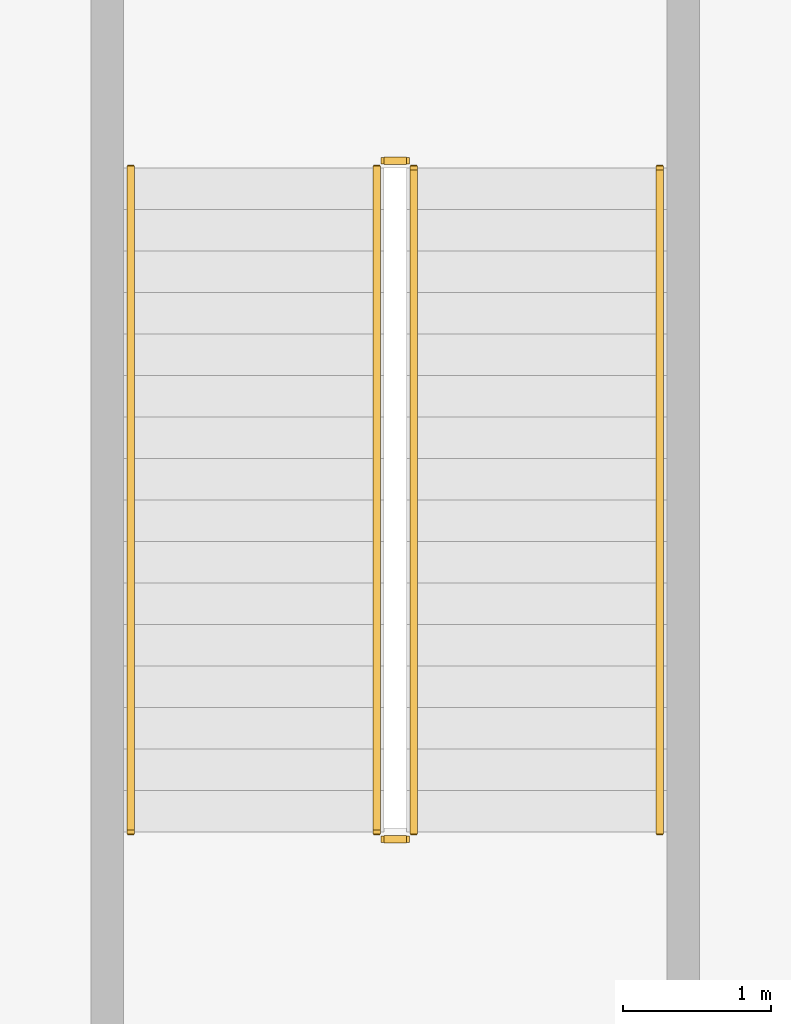
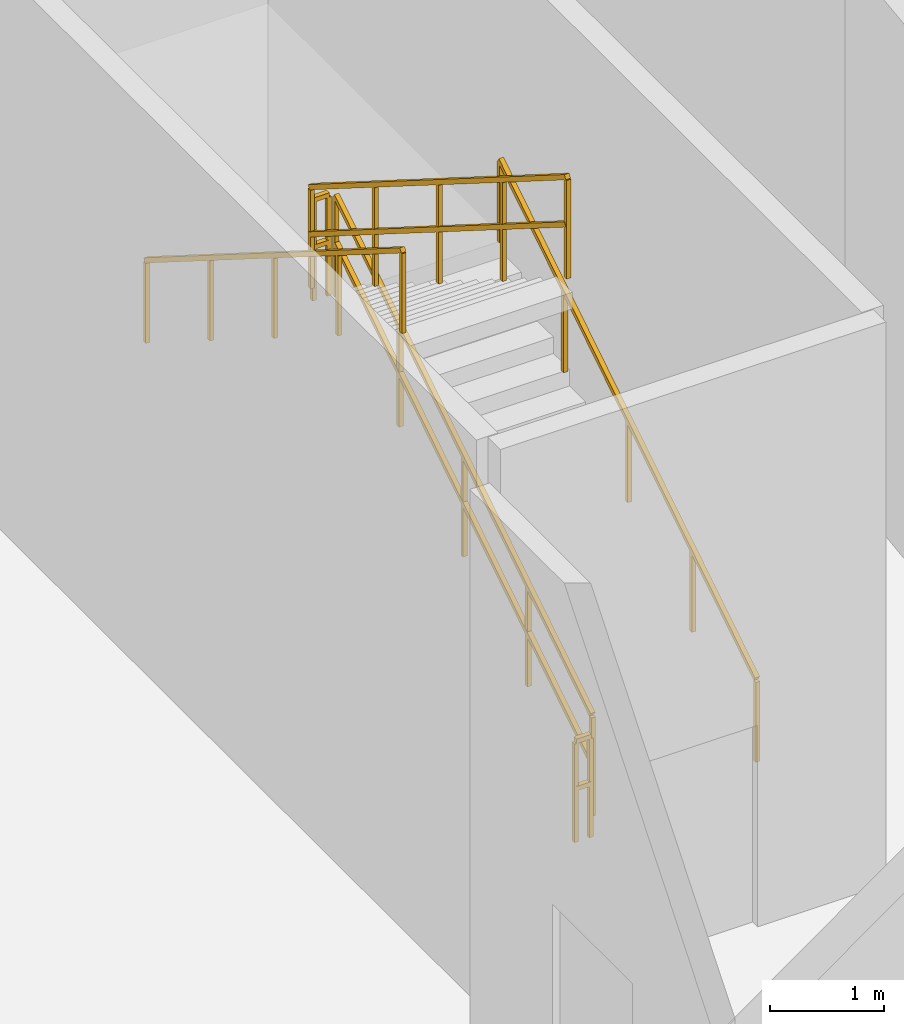
# One storey, part 11 of 14: 6 railings.
"""IFC4 building model written with IfcOpenShell, lengths in metres."""

import ifcopenshell
import ifcopenshell.guid

model = None  # the IFC model being written
_history = None  # IfcOwnerHistory: only IFC2X3 demands one
_inside = {}  # id of a spatial element -> (the spatial element, [elements in it])
_under = {}  # id of a project, library or spatial element -> (it, [spatial elements below it])
_declared = {}  # id of a project -> (the project, [libraries it declares])
_typed = {}  # id of a type object -> (the type object, [elements of that type])
_made_of = {}  # id of a material, layer set ... -> (it, [elements and type objects made of it])


def new_model(schema):
    """Start an empty IFC model of exactly this schema.

    Asked for "IFC4X3", IfcOpenShell would pick the latest addendum, in which some entities
    have other attributes; the version numbers below select the first issue.
    IFC2X3 requires an IfcOwnerHistory on every rooted entity: one is made here for all.
    """
    global model, _history
    if schema == "IFC4X3":
        model = ifcopenshell.file(schema_version=(4, 3, 0, 0))
    else:
        model = ifcopenshell.file(schema=schema)
    _inside.clear()
    _under.clear()
    _declared.clear()
    _typed.clear()
    _made_of.clear()
    _history = None
    if model.schema == "IFC2X3":
        org = make("IfcOrganization", Name="unknown")
        user = make(
            "IfcPersonAndOrganization",
            ThePerson=make("IfcPerson", FamilyName="unknown"),
            TheOrganization=org,
        )
        app = make(
            "IfcApplication",
            ApplicationDeveloper=org,
            Version="unknown",
            ApplicationFullName="unknown",
            ApplicationIdentifier="unknown",
        )
        _history = make(
            "IfcOwnerHistory",
            OwningUser=user,
            OwningApplication=app,
            ChangeAction="ADDED",
            CreationDate=0,
        )
    return model


def make(cls, **values):
    """One entity of the class cls with the attributes given. An attribute that is None is left unset."""
    return model.create_entity(
        cls, **{name: value for name, value in values.items() if value is not None}
    )


def rooted(cls, **values):
    """An entity with a GlobalId (a new one), such as an element, a storey or a relation."""
    return make(cls, GlobalId=ifcopenshell.guid.new(), OwnerHistory=_history, **values)


def si_unit(unit_type, name, prefix=None):
    """IfcSIUnit, for example si_unit("LENGTHUNIT", "METRE", prefix="MILLI")."""
    return make("IfcSIUnit", UnitType=unit_type, Prefix=prefix, Name=name)


def assignment(units):
    """IfcUnitAssignment: the units of a project."""
    return None if units is None else make("IfcUnitAssignment", Units=units)


def point(xyz):
    """IfcCartesianPoint."""
    return None if xyz is None else make("IfcCartesianPoint", Coordinates=xyz)


def direction(xyz):
    """IfcDirection."""
    return None if xyz is None else make("IfcDirection", DirectionRatios=xyz)


def frame(location, z_axis=None, x_axis=None):
    """IfcAxis2Placement3D, a coordinate frame: its origin and axes. An axis left out is left unset."""
    return make(
        "IfcAxis2Placement3D",
        Location=point(location),
        Axis=direction(z_axis),
        RefDirection=direction(x_axis),
    )


def frame_2d(location, x_axis=None):
    """IfcAxis2Placement2D, a coordinate frame in the plane: its origin and x axis."""
    return make(
        "IfcAxis2Placement2D", Location=point(location), RefDirection=direction(x_axis)
    )


def origin():
    """The frame at (0, 0, 0) with its axes left unset."""
    return frame((0.0, 0.0, 0.0))


def origin_2d():
    """The frame at (0, 0) in the plane with its x axis left unset."""
    return frame_2d((0.0, 0.0))


def place(relative_to, where):
    """IfcLocalPlacement: puts the frame where relative to a parent placement (None: the world)."""
    return make(
        "IfcLocalPlacement", PlacementRelTo=relative_to, RelativePlacement=where
    )


def context(
    kind, dimensions, precision=None, world=None, true_north=None, identifier=None
):
    """IfcGeometricRepresentationContext, for example the 3D "Model" context."""
    return make(
        "IfcGeometricRepresentationContext",
        ContextIdentifier=identifier,
        ContextType=kind,
        CoordinateSpaceDimension=dimensions,
        Precision=precision,
        WorldCoordinateSystem=world,
        TrueNorth=true_north,
    )


def subcontext(parent, identifier, kind, view, scale=None):
    """IfcGeometricRepresentationSubContext, for example "Body" below "Model"."""
    return make(
        "IfcGeometricRepresentationSubContext",
        ContextIdentifier=identifier,
        ContextType=kind,
        ParentContext=parent,
        TargetScale=scale,
        TargetView=view,
    )


def project(units=None, contexts=None):
    """IfcProject with its units and contexts."""
    return rooted(
        "IfcProject",
        Name="project",
        RepresentationContexts=contexts,
        UnitsInContext=assignment(units),
    )


def spatial(cls, under=None, at=None, **own):
    """A site, building, storey or space (cls), placed at a placement, below another one or the project."""
    s = rooted(cls, ObjectPlacement=at, **own)
    if under is not None:
        _under.setdefault(under.id(), (under, []))[1].append(s)
    return s


def profile(cls, at=None, kind="AREA", **sizes):
    """A parametric profile (cls). Its sizes go by their IFC names, for example OverallWidth=200.0."""
    return make(cls, ProfileType=kind, Position=at, **sizes)


def rectangle(**sizes):
    """IfcRectangleProfileDef."""
    return profile("IfcRectangleProfileDef", **sizes)


def extrude(swept, where, along, depth):
    """IfcExtrudedAreaSolid: the profile swept, set in the frame where, extruded along a direction by depth."""
    return make(
        "IfcExtrudedAreaSolid",
        SweptArea=swept,
        Position=where,
        ExtrudedDirection=direction(along),
        Depth=depth,
    )


def shape(context_of_items, identifier, shape_type, items):
    """IfcShapeRepresentation: the items that make up one representation, for example the "Body"."""
    return make(
        "IfcShapeRepresentation",
        ContextOfItems=context_of_items,
        RepresentationIdentifier=identifier,
        RepresentationType=shape_type,
        Items=items,
    )


def material(Name=None, Category=None):
    """IfcMaterial."""
    return make("IfcMaterial", Name=Name, Category=Category)


def made_of(thing, what):
    """Note that an element or type object is made of a material, layer set ...; save() writes the relation."""
    if what is not None:
        _made_of.setdefault(what.id(), (what, []))[1].append(thing)
    return thing


def type_object(cls, material=None, **own):
    """A type object (cls), such as IfcWallType, which elements share."""
    return made_of(rooted(cls, **own), material)


def element(
    cls,
    number,
    at=None,
    inside=None,
    cuts=None,
    type_object=None,
    material=None,
    context=None,
    identifier="Body",
    shape_type=None,
    held_by="IfcProductDefinitionShape",
    body=None,
    shapes=None,
    **own,
):
    """One element of the class cls, such as IfcWall. Its Tag is "e" and its number.

    at: its placement. inside: the storey or other place that contains it. cuts: it is an
    opening in that element (IfcRelVoidsElement). A single representation is given by context,
    identifier, shape_type and body (its items); several are given by shapes. held_by: the class
    of the entity that holds the representations. save() writes the other relations.
    """
    e = rooted(cls, Tag="e%d" % number, ObjectPlacement=at, **own)
    if body is not None:
        shapes = [shape(context, identifier, shape_type, body)]
    if shapes is not None:
        e.Representation = make(held_by, Representations=shapes)
    if inside is not None:
        _inside.setdefault(inside.id(), (inside, []))[1].append(e)
    if cuts is not None:
        rooted(
            "IfcRelVoidsElement", RelatingBuildingElement=cuts, RelatedOpeningElement=e
        )
    if type_object is not None:
        _typed.setdefault(type_object.id(), (type_object, []))[1].append(e)
    return made_of(e, material)


def aggregate(whole, parts):
    """IfcRelAggregates: a whole, such as a stair, and the parts it consists of."""
    return rooted("IfcRelAggregates", RelatingObject=whole, RelatedObjects=parts)


def save(model, path):
    """Write the relations noted so far, then the file.

    IfcRelAggregates (storeys below a building ...), IfcRelContainedInSpatialStructure (elements
    in a storey), IfcRelDefinesByType, IfcRelAssociatesMaterial and IfcRelDeclares: one each for
    every whole, place, type object, material and project.
    """
    for whole, parts in _under.values():
        aggregate(whole, parts)
    for where, things in _inside.values():
        rooted(
            "IfcRelContainedInSpatialStructure",
            RelatedElements=things,
            RelatingStructure=where,
        )
    for kind, things in _typed.values():
        rooted("IfcRelDefinesByType", RelatedObjects=things, RelatingType=kind)
    for what, things in _made_of.values():
        rooted("IfcRelAssociatesMaterial", RelatedObjects=things, RelatingMaterial=what)
    for by, libraries in _declared.values():
        rooted("IfcRelDeclares", RelatingContext=by, RelatedDefinitions=libraries)
    model.write(path)


model = new_model("IFC4")

# Units and contexts
model_context = context("Model", 3, precision=1e-05, world=origin(), true_north=direction((0.0, 1.0)))
body_context = subcontext(model_context, "Body", "Model", "MODEL_VIEW")
ifc_project = project(units=[si_unit("LENGTHUNIT", "METRE"), si_unit("AREAUNIT", "SQUARE_METRE"), si_unit("VOLUMEUNIT", "CUBIC_METRE"), si_unit("PLANEANGLEUNIT", "RADIAN"), si_unit("MASSUNIT", "GRAM", prefix="KILO")], contexts=[model_context])

# Site, building, storey
site_placement = place(None, origin())
site = spatial("IfcSite", under=ifc_project, at=site_placement, CompositionType="ELEMENT")
building_placement = place(site_placement, origin())
building = spatial("IfcBuilding", under=site, at=building_placement, Name="Breltana Convention Tower", CompositionType="ELEMENT")
storey_placement = place(building_placement, origin())
storey = spatial("IfcBuildingStorey", under=building, at=storey_placement, Name="L00", CompositionType="ELEMENT", Elevation=0.0)

# Railings
ifc_material_1 = material(Name="Steel S275 Painted", Category="steel")
railing_type_1 = type_object("IfcRailingType", Name="RL-STAIR-GUARD-1100", PredefinedType="GUARDRAIL", material=ifc_material_1)
railing_1_placement = place(storey_placement, frame((88.7900390625, 38.56005859375, 0.176513671875)))
element("IfcRailing", 1, at=railing_1_placement, inside=storey, type_object=railing_type_1, Name="L00 ST-4 stair guard 1", PredefinedType="GUARDRAIL", context=body_context, shape_type="SweptSolid", body=[
    extrude(rectangle(XDim=0.048095703125, YDim=0.048095703125, at=origin_2d()), frame((0.0, 0.0, 1.076171875), z_axis=(0.0, 0.845997938375, 0.533186166611), x_axis=(-1.0, 0.0, 0.0)), (0.0, 0.0, 1.0), 5.29541015625),
    extrude(rectangle(XDim=0.048095703125, YDim=0.048095703125, at=origin_2d()), frame((0.0, 0.0, 0.572021484375), z_axis=(0.0, 0.845997938375, 0.533186166611), x_axis=(-1.0, 0.0, 0.0)), (0.0, 0.0, 1.0), 5.29541015625),
    extrude(rectangle(XDim=0.0419921875, YDim=0.0419921875, at=origin_2d()), origin(), (0.0, 0.0, 1.0), 1.052001953125),
    extrude(rectangle(XDim=0.0419921875, YDim=0.0419921875, at=origin_2d()), frame((0.0, 1.1201171875, 0.705810546875)), (0.0, 0.0, 1.0), 1.052001953125),
    extrude(rectangle(XDim=0.0419921875, YDim=0.0419921875, at=origin_2d()), frame((0.0, 2.239990234375, 1.41162109375)), (0.0, 0.0, 1.0), 1.052001953125),
    extrude(rectangle(XDim=0.0419921875, YDim=0.0419921875, at=origin_2d()), frame((0.0, 3.35986328125, 2.11767578125)), (0.0, 0.0, 1.0), 1.052001953125),
    extrude(rectangle(XDim=0.0419921875, YDim=0.0419921875, at=origin_2d()), frame((0.0, 4.47998046875, 2.823486328125)), (0.0, 0.0, 1.0), 1.052001953125),
])
railing_2_placement = place(storey_placement, frame((88.739990234375, 43.090087890625, 3.0)))
element("IfcRailing", 2, at=railing_2_placement, inside=storey, type_object=railing_type_1, Name="L00 ST-4 stair guard 2", PredefinedType="GUARDRAIL", context=body_context, shape_type="SweptSolid", body=[
    extrude(rectangle(XDim=0.048095703125, YDim=0.048095703125, at=origin_2d()), frame((0.0, 0.0, 1.076171875), z_axis=(-1.0, 0.0, 0.0), x_axis=(0.0, -1.0, 0.0)), (0.0, 0.0, 1.0), 0.14990234375),
    extrude(rectangle(XDim=0.048095703125, YDim=0.048095703125, at=origin_2d()), frame((0.0, 0.0, 0.572021484375), z_axis=(-1.0, 0.0, 0.0), x_axis=(0.0, -1.0, 0.0)), (0.0, 0.0, 1.0), 0.14990234375),
    extrude(rectangle(XDim=0.0419921875, YDim=0.0419921875, at=origin_2d()), origin(), (0.0, 0.0, 1.0), 1.052001953125),
    extrude(rectangle(XDim=0.0419921875, YDim=0.0419921875, at=origin_2d()), frame((-0.14990234375, 0.0, 0.0)), (0.0, 0.0, 1.0), 1.052001953125),
])
railing_3_placement = place(storey_placement, frame((88.5400390625, 43.0400390625, 3.176513671875)))
element("IfcRailing", 3, at=railing_3_placement, inside=storey, type_object=railing_type_1, Name="L00 ST-4 stair guard 3", PredefinedType="GUARDRAIL", context=body_context, shape_type="SweptSolid", body=[
    extrude(rectangle(XDim=0.048095703125, YDim=0.048095703125, at=origin_2d()), frame((0.0, 0.0, 1.076171875), z_axis=(0.0, -0.845997938375, 0.533186166611), x_axis=(1.0, 0.0, 0.0)), (0.0, 0.0, 1.0), 5.29541015625),
    extrude(rectangle(XDim=0.048095703125, YDim=0.048095703125, at=origin_2d()), frame((0.0, 0.0, 0.572021484375), z_axis=(0.0, -0.845997938375, 0.533186166611), x_axis=(1.0, 0.0, 0.0)), (0.0, 0.0, 1.0), 5.29541015625),
    extrude(rectangle(XDim=0.0419921875, YDim=0.0419921875, at=origin_2d()), origin(), (0.0, 0.0, 1.0), 1.052001953125),
    extrude(rectangle(XDim=0.0419921875, YDim=0.0419921875, at=origin_2d()), frame((0.0, -1.1201171875, 0.705810546875)), (0.0, 0.0, 1.0), 1.052001953125),
    extrude(rectangle(XDim=0.0419921875, YDim=0.0419921875, at=origin_2d()), frame((0.0, -2.239990234375, 1.41162109375)), (0.0, 0.0, 1.0), 1.052001953125),
    extrude(rectangle(XDim=0.0419921875, YDim=0.0419921875, at=origin_2d()), frame((0.0, -3.35986328125, 2.11767578125)), (0.0, 0.0, 1.0), 1.052001953125),
    extrude(rectangle(XDim=0.0419921875, YDim=0.0419921875, at=origin_2d()), frame((0.0, -4.47998046875, 2.823486328125)), (0.0, 0.0, 1.0), 1.052001953125),
])
railing_4_placement = place(storey_placement, frame((88.739990234375, 38.510009765625, 0.0)))
element("IfcRailing", 4, at=railing_4_placement, inside=storey, type_object=railing_type_1, Name="L00 ST-4 stair guard 4", PredefinedType="GUARDRAIL", context=body_context, shape_type="SweptSolid", body=[
    extrude(rectangle(XDim=0.048095703125, YDim=0.048095703125, at=origin_2d()), frame((0.0, 0.0, 1.076171875), z_axis=(-1.0, 0.0, 0.0), x_axis=(0.0, -1.0, 0.0)), (0.0, 0.0, 1.0), 0.14990234375),
    extrude(rectangle(XDim=0.048095703125, YDim=0.048095703125, at=origin_2d()), frame((0.0, 0.0, 0.572021484375), z_axis=(-1.0, 0.0, 0.0), x_axis=(0.0, -1.0, 0.0)), (0.0, 0.0, 1.0), 0.14990234375),
    extrude(rectangle(XDim=0.0419921875, YDim=0.0419921875, at=origin_2d()), origin(), (0.0, 0.0, 1.0), 1.052001953125),
    extrude(rectangle(XDim=0.0419921875, YDim=0.0419921875, at=origin_2d()), frame((-0.14990234375, 0.0, 0.0)), (0.0, 0.0, 1.0), 1.052001953125),
])
ifc_material_2 = material(Name="Stainless Steel 316L", Category="steel")
railing_type_2 = type_object("IfcRailingType", Name="RL-STAIR-HANDRAIL-900", PredefinedType="HANDRAIL", material=ifc_material_2)
railing_5_placement = place(storey_placement, frame((90.449951171875, 38.56005859375, 0.176513671875)))
element("IfcRailing", 5, at=railing_5_placement, inside=storey, type_object=railing_type_2, Name="L00 ST-4 stair handrail 1", PredefinedType="HANDRAIL", context=body_context, shape_type="SweptSolid", body=[
    extrude(rectangle(XDim=0.048095703125, YDim=0.048095703125, at=origin_2d()), frame((0.0, 0.0, 0.8759765625), z_axis=(0.0, 0.845997938375, 0.533186166611), x_axis=(-1.0, 0.0, 0.0)), (0.0, 0.0, 1.0), 5.29541015625),
    extrude(rectangle(XDim=0.0419921875, YDim=0.0419921875, at=origin_2d()), origin(), (0.0, 0.0, 1.0), 0.851806640625),
    extrude(rectangle(XDim=0.0419921875, YDim=0.0419921875, at=origin_2d()), frame((0.0, 1.1201171875, 0.705810546875)), (0.0, 0.0, 1.0), 0.851806640625),
    extrude(rectangle(XDim=0.0419921875, YDim=0.0419921875, at=origin_2d()), frame((0.0, 2.239990234375, 1.41162109375)), (0.0, 0.0, 1.0), 0.851806640625),
    extrude(rectangle(XDim=0.0419921875, YDim=0.0419921875, at=origin_2d()), frame((0.0, 3.35986328125, 2.11767578125)), (0.0, 0.0, 1.0), 0.851806640625),
    extrude(rectangle(XDim=0.0419921875, YDim=0.0419921875, at=origin_2d()), frame((0.0, 4.47998046875, 2.823486328125)), (0.0, 0.0, 1.0), 0.851806640625),
])
railing_6_placement = place(storey_placement, frame((86.8798828125, 43.0400390625, 3.176513671875)))
element("IfcRailing", 6, at=railing_6_placement, inside=storey, type_object=railing_type_2, Name="L00 ST-4 stair handrail 2", PredefinedType="HANDRAIL", context=body_context, shape_type="SweptSolid", body=[
    extrude(rectangle(XDim=0.048095703125, YDim=0.048095703125, at=origin_2d()), frame((0.0, 0.0, 0.8759765625), z_axis=(0.0, -0.845997938375, 0.533186166611), x_axis=(1.0, 0.0, 0.0)), (0.0, 0.0, 1.0), 5.29541015625),
    extrude(rectangle(XDim=0.0419921875, YDim=0.0419921875, at=origin_2d()), origin(), (0.0, 0.0, 1.0), 0.851806640625),
    extrude(rectangle(XDim=0.0419921875, YDim=0.0419921875, at=origin_2d()), frame((0.0, -1.1201171875, 0.705810546875)), (0.0, 0.0, 1.0), 0.851806640625),
    extrude(rectangle(XDim=0.0419921875, YDim=0.0419921875, at=origin_2d()), frame((0.0, -2.239990234375, 1.41162109375)), (0.0, 0.0, 1.0), 0.851806640625),
    extrude(rectangle(XDim=0.0419921875, YDim=0.0419921875, at=origin_2d()), frame((0.0, -3.35986328125, 2.11767578125)), (0.0, 0.0, 1.0), 0.851806640625),
    extrude(rectangle(XDim=0.0419921875, YDim=0.0419921875, at=origin_2d()), frame((0.0, -4.47998046875, 2.823486328125)), (0.0, 0.0, 1.0), 0.851806640625),
])

save(model, "model.ifc")
